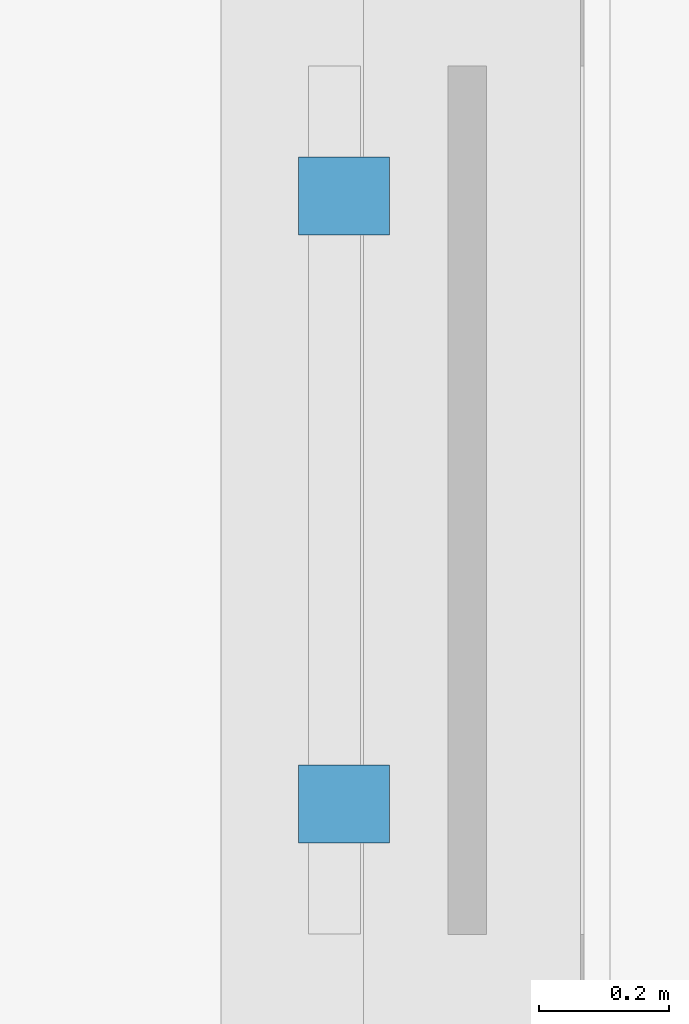
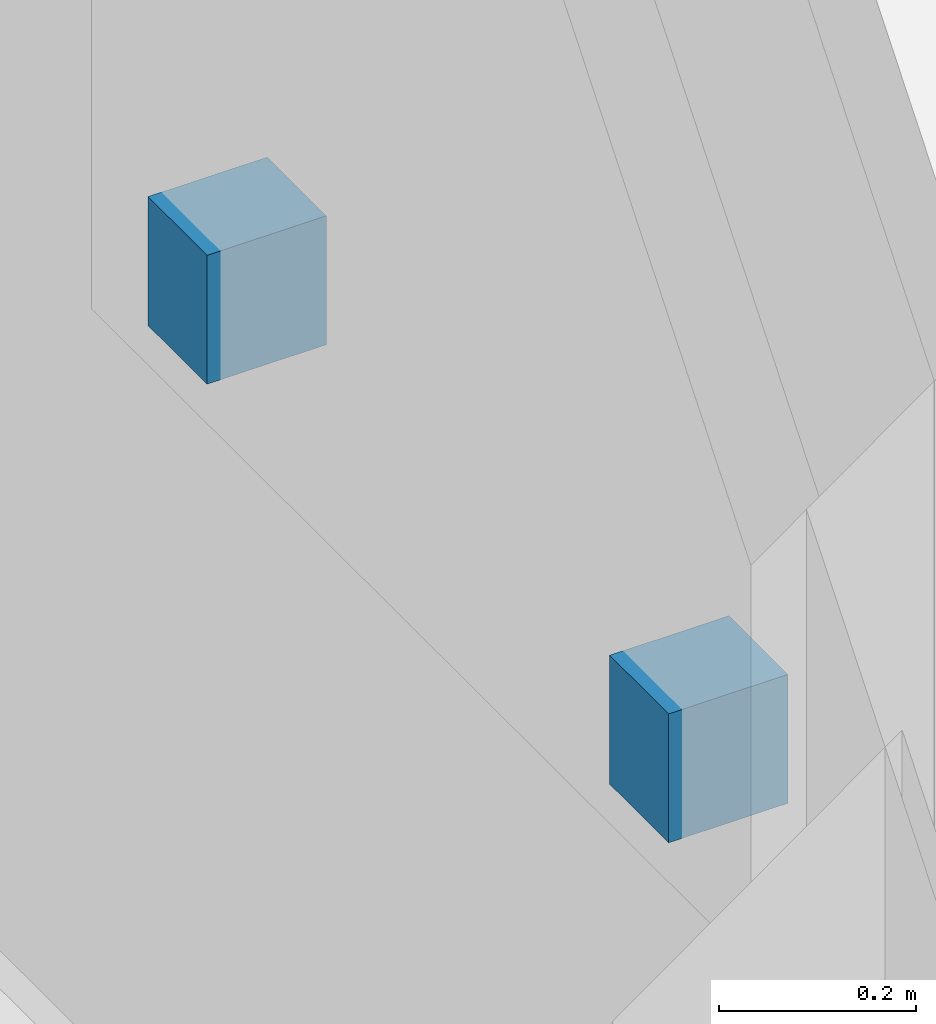
# One storey, part 87 of 104: 2 discrete accessories.
"""IFC4 building model written with IfcOpenShell, lengths in metres."""

from ifc_helpers import new_model, si_unit, direction, frame, origin, origin_2d, place, context, subcontext, project, spatial, rectangle, extrude, material, type_object, element, save


model = new_model("IFC4")

# Units and contexts
model_context = context("Model", 3, precision=1e-05, world=origin(), true_north=direction((0.0, 1.0)))
body_context = subcontext(model_context, "Body", "Model", "MODEL_VIEW")
ifc_project = project(units=[si_unit("LENGTHUNIT", "METRE"), si_unit("AREAUNIT", "SQUARE_METRE"), si_unit("VOLUMEUNIT", "CUBIC_METRE"), si_unit("PLANEANGLEUNIT", "RADIAN"), si_unit("MASSUNIT", "GRAM", prefix="KILO")], contexts=[model_context])

# Site, building, storey
site_placement = place(None, origin())
site = spatial("IfcSite", under=ifc_project, at=site_placement, CompositionType="ELEMENT")
building_placement = place(site_placement, origin())
building = spatial("IfcBuilding", under=site, at=building_placement, Name="Hawrajan Terrace Health Centre", CompositionType="ELEMENT")
storey_placement = place(building_placement, origin())
storey = spatial("IfcBuildingStorey", under=building, at=storey_placement, Name="L00", CompositionType="ELEMENT", Elevation=0.0)

# Discrete accessories
ifc_material = material(Name="Steel S355", Category="steel")
discrete_accessory_type = type_object("IfcDiscreteAccessoryType", Name="FacadeBracket_S355", PredefinedType="BRACKET", material=ifc_material)
for number, where, z_axis, x_axis, name in (
    (1, (4.409912109375, 56.85595703125, 1.06982421875), (0.0, 0.0, 1.0), (0.0, 1.0, 0.0), "Roshan support bracket BRK-L00-013-1"),
    (2, (4.409912109375, 57.7939453125, 1.06982421875), (0.0, 0.0, 1.0), (0.0, 1.0, 0.0), "Roshan support bracket BRK-L00-013-2"),
):
    element("IfcDiscreteAccessory", number, at=place(storey_placement, frame(where, z_axis=z_axis, x_axis=x_axis)), inside=storey, type_object=discrete_accessory_type, Name=name, PredefinedType="BRACKET", context=body_context, shape_type="SweptSolid", body=[
        extrude(rectangle(XDim=0.1201171875, YDim=0.139892578125, at=origin_2d()), origin(), (0.0, 0.0, 1.0), 0.159912109375),
    ])

save(model, "model.ifc")
